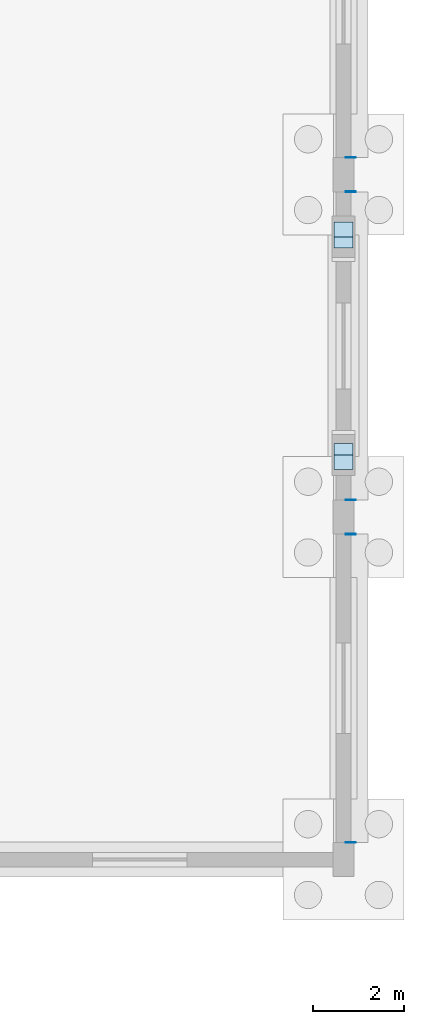
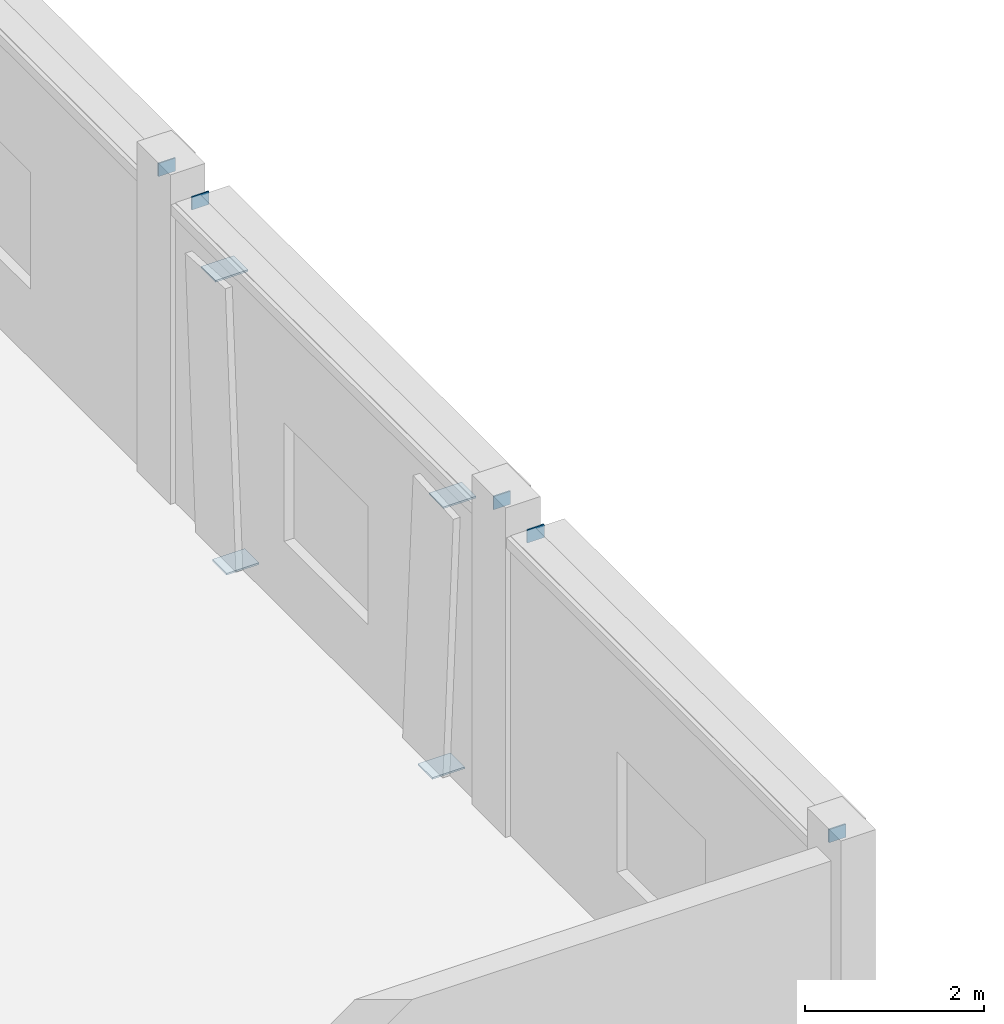
# One storey, part 74 of 93: 9 plates.
"""IFC4 building model written with IfcOpenShell, lengths in metres."""

from ifc_helpers import new_model, si_unit, direction, frame, origin, origin_2d, place, context, subcontext, project, spatial, rectangle, extrude, material, layer, layer_set, type_object, element, save


model = new_model("IFC4")

# Units and contexts
model_context = context("Model", 3, precision=1e-05, world=origin(), true_north=direction((0.0, 1.0)))
body_context = subcontext(model_context, "Body", "Model", "MODEL_VIEW")
ifc_project = project(units=[si_unit("LENGTHUNIT", "METRE"), si_unit("AREAUNIT", "SQUARE_METRE"), si_unit("VOLUMEUNIT", "CUBIC_METRE"), si_unit("PLANEANGLEUNIT", "RADIAN"), si_unit("MASSUNIT", "GRAM", prefix="KILO")], contexts=[model_context])

# Site, building, storey
site_placement = place(None, origin())
site = spatial("IfcSite", under=ifc_project, at=site_placement, CompositionType="ELEMENT")
building_placement = place(site_placement, origin())
building = spatial("IfcBuilding", under=site, at=building_placement, Name="Marnridge Secondary College", CompositionType="ELEMENT")
storey_placement = place(building_placement, origin())
storey = spatial("IfcBuildingStorey", under=building, at=storey_placement, Name="L00", CompositionType="ELEMENT", Elevation=0.0)

# Plates
ifc_material = material(Name="Structural steel plate Grade 350 (AS/NZS 3678, fy = 350 MPa <=12mm, 340 MPa 12-20mm, 330 MPa 20-50mm)", Category="steel")
ifc_layer = layer(ifc_material, 0.02392578125)
ifc_layer_set = layer_set([ifc_layer], Name="PT-GUS-GSN2")
plate_type = type_object("IfcPlateType", Name="PT-GUS-GSN2", PredefinedType="USERDEFINED", material=ifc_layer_set)
for number, where, z_axis, x_axis, name in (
    (1, (171.0, 83.949951171875, -0.221923828125), (0.0, 0.0, 1.0), (1.0, 0.0, 0.0), "Pilaster bearing plate CP-0639-BP1"),
    (2, (171.0, 83.699951171875, 3.6259765625), (0.0, 0.0, 1.0), (1.0, 0.0, 0.0), "Pilaster bearing plate CP-0639-BP2"),
    (3, (171.0, 88.550048828125, -0.221923828125), (0.0, 0.0, 1.0), (1.0, 0.0, 0.0), "Pilaster bearing plate CP-0640-BP1"),
    (4, (171.0, 88.800048828125, 3.6259765625), (0.0, 0.0, 1.0), (1.0, 0.0, 0.0), "Pilaster bearing plate CP-0640-BP2"),
):
    element("IfcPlate", number, at=place(storey_placement, frame(where, z_axis=z_axis, x_axis=x_axis)), inside=storey, type_object=plate_type, Name=name, ObjectType="GUSSET PLATE", PredefinedType="USERDEFINED", context=body_context, shape_type="SweptSolid", body=[
        extrude(rectangle(XDim=0.419921875, YDim=0.320068359375, at=origin_2d()), origin(), (0.0, 0.0, 1.0), 0.02392578125),
    ])
for number, where, z_axis, x_axis, name in (
    (5, (171.159912109375, 90.375, 3.93017578125), (0.0, 0.0, 1.0), (1.0, 0.0, 0.0), "Solar fin end bracket plate SFN-0007-BP2"),
    (6, (171.159912109375, 89.625, 3.93017578125), (0.0, 0.0, 1.0), (1.0, 0.0, 0.0), "Solar fin end bracket plate SFN-0008-BP1"),
    (7, (171.159912109375, 82.875, 3.93017578125), (0.0, 0.0, 1.0), (1.0, 0.0, 0.0), "Solar fin end bracket plate SFN-0008-BP2"),
    (8, (171.159912109375, 82.125, 3.93017578125), (0.0, 0.0, 1.0), (1.0, 0.0, 0.0), "Solar fin end bracket plate SFN-0009-BP1"),
    (9, (171.159912109375, 75.375, 3.93017578125), (0.0, 0.0, 1.0), (1.0, 0.0, 0.0), "Solar fin end bracket plate SFN-0009-BP2"),
):
    element("IfcPlate", number, at=place(storey_placement, frame(where, z_axis=z_axis, x_axis=x_axis)), inside=storey, type_object=plate_type, Name=name, ObjectType="GUSSET PLATE", PredefinedType="USERDEFINED", context=body_context, shape_type="SweptSolid", body=[
        extrude(rectangle(XDim=0.219970703125, YDim=0.01806640625, at=origin_2d()), origin(), (0.0, 0.0, 1.0), 0.179931640625),
    ])

save(model, "model.ifc")
